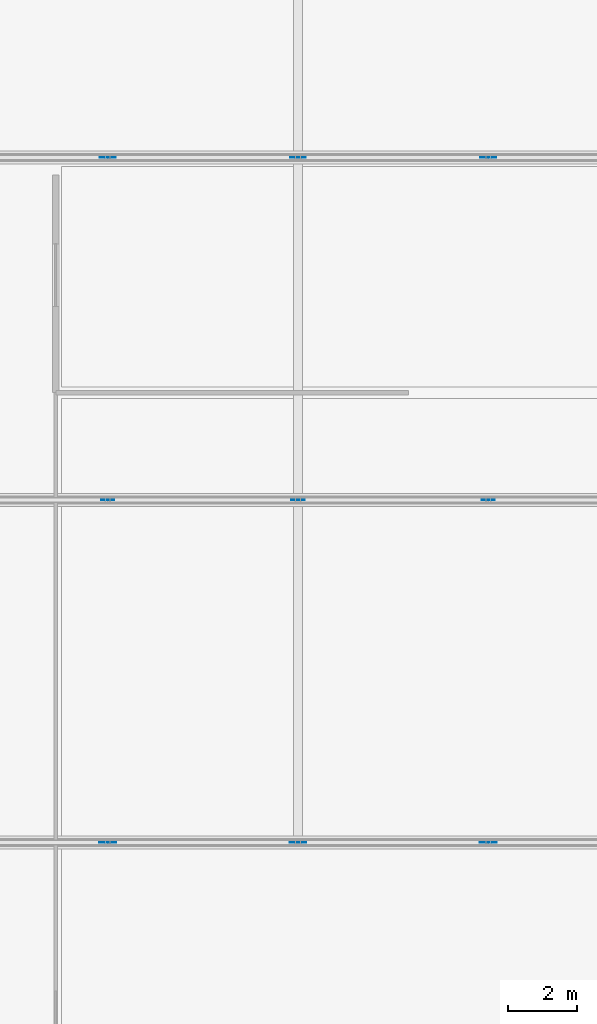
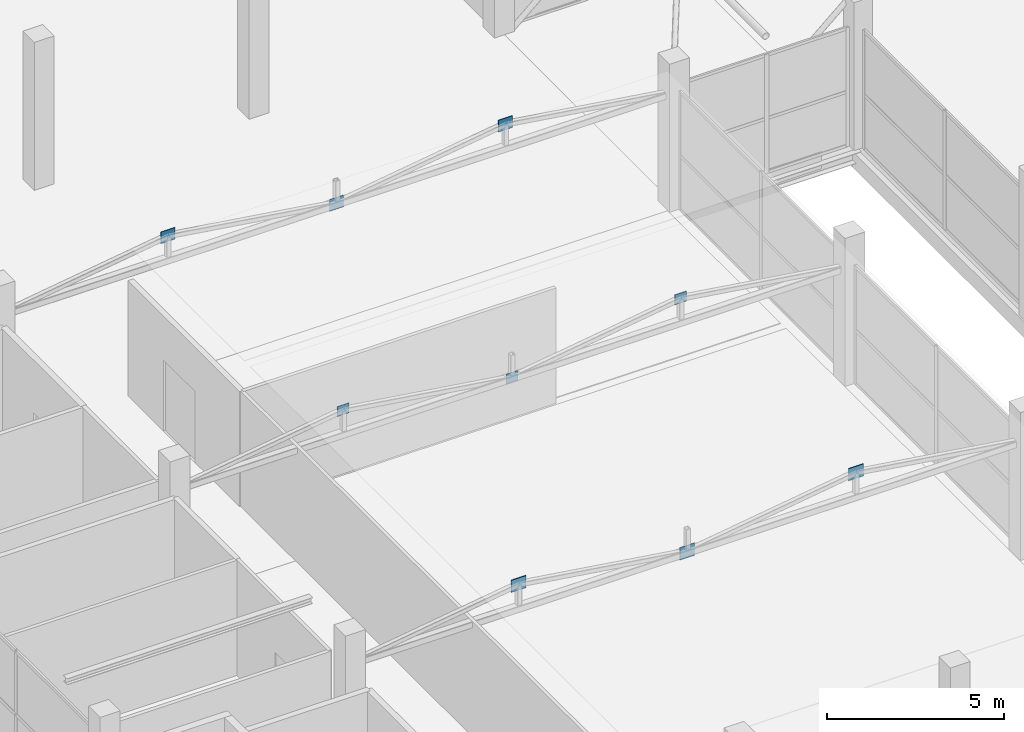
# One storey, part 46 of 58: 9 plates.
"""IFC4 building model written with IfcOpenShell, lengths in metres."""

from ifc_helpers import new_model, si_unit, direction, frame, origin, origin_2d, place, context, subcontext, project, spatial, rectangle, extrude, material, layer, layer_set, type_object, element, save


model = new_model("IFC4")

# Units and contexts
model_context = context("Model", 3, precision=1e-05, world=origin(), true_north=direction((0.0, 1.0)))
body_context = subcontext(model_context, "Body", "Model", "MODEL_VIEW")
ifc_project = project(units=[si_unit("LENGTHUNIT", "METRE"), si_unit("AREAUNIT", "SQUARE_METRE"), si_unit("VOLUMEUNIT", "CUBIC_METRE"), si_unit("PLANEANGLEUNIT", "RADIAN"), si_unit("MASSUNIT", "GRAM", prefix="KILO")], contexts=[model_context])

# Site, building, storey
site_placement = place(None, origin())
site = spatial("IfcSite", under=ifc_project, at=site_placement, CompositionType="ELEMENT")
building_placement = place(site_placement, origin())
building = spatial("IfcBuilding", under=site, at=building_placement, Name="Sillaruma Civic Art Gallery", CompositionType="ELEMENT")
storey_placement = place(building_placement, frame((0.0, 0.0, 52.02001953125)))
storey = spatial("IfcBuildingStorey", under=building, at=storey_placement, Name="L10", CompositionType="ELEMENT", Elevation=52.02001953125)

# Plates
ifc_material = material(Name="Structural Steel ASTM A992 Gr.50", Category="steel")
ifc_layer_1 = layer(ifc_material, 0.01611328125, Name="Structural Steel ASTM A992 Gr.50")
ifc_layer_set_1 = layer_set([ifc_layer_1], Name="Structural Steel ASTM A992 Gr.50")
plate_type_1 = type_object("IfcPlateType", Name="PLT-GUS-16", PredefinedType="SHEET", material=ifc_layer_set_1)
for number, where, z_axis, x_axis, name in (
    (1, (75.5, 59.39990234375, 4.498046875), (0.0, 0.0, 1.0), (1.0, 0.0, 0.0), "Truss Gusset Plate GP-05 (TR-L10-2-1)"),
    (2, (81.0, 59.39990234375, 3.68994140625), (0.0, 0.0, 1.0), (1.0, 0.0, 0.0), "Truss Gusset Plate GP-05 (TR-L10-2-2)"),
    (3, (86.5, 59.39990234375, 4.498046875), (0.0, 0.0, 1.0), (1.0, 0.0, 0.0), "Truss Gusset Plate GP-05 (TR-L10-2-3)"),
):
    element("IfcPlate", number, at=place(storey_placement, frame(where, z_axis=z_axis, x_axis=x_axis)), inside=storey, type_object=plate_type_1, Name=name, PredefinedType="SHEET", context=body_context, shape_type="SweptSolid", body=[
        extrude(rectangle(XDim=0.3798828125, YDim=0.01611328125, at=origin_2d()), origin(), (0.0, 0.0, 1.0), 0.340087890625),
    ])
ifc_layer_2 = layer(ifc_material, 0.02001953125, Name="Structural Steel ASTM A992 Gr.50")
ifc_layer_set_2 = layer_set([ifc_layer_2], Name="Structural Steel ASTM A992 Gr.50")
plate_type_2 = type_object("IfcPlateType", Name="PLT-GUS-20", PredefinedType="SHEET", material=ifc_layer_set_2)
for number, where, z_axis, x_axis, name in (
    (4, (75.5, 69.300048828125, 4.468017578125), (0.0, 0.0, 1.0), (1.0, 0.0, 0.0), "Truss Gusset Plate GP-01 (TR-L10-3-1)"),
    (5, (81.0, 69.300048828125, 3.659912109375), (0.0, 0.0, 1.0), (1.0, 0.0, 0.0), "Truss Gusset Plate GP-01 (TR-L10-3-2)"),
    (6, (86.5, 69.300048828125, 4.468017578125), (0.0, 0.0, 1.0), (1.0, 0.0, 0.0), "Truss Gusset Plate GP-01 (TR-L10-3-3)"),
):
    element("IfcPlate", number, at=place(storey_placement, frame(where, z_axis=z_axis, x_axis=x_axis)), inside=storey, type_object=plate_type_2, Name=name, PredefinedType="SHEET", context=body_context, shape_type="SweptSolid", body=[
        extrude(rectangle(XDim=0.4599609375, YDim=0.02001953125, at=origin_2d()), origin(), (0.0, 0.0, 1.0), 0.39990234375),
    ])
ifc_layer_3 = layer(ifc_material, 0.02197265625, Name="Structural Steel ASTM A992 Gr.50")
ifc_layer_set_3 = layer_set([ifc_layer_3], Name="Structural Steel ASTM A992 Gr.50")
plate_type_3 = type_object("IfcPlateType", Name="PLT-GUS-22", PredefinedType="SHEET", material=ifc_layer_set_3)
for number, where, z_axis, x_axis, name in (
    (7, (75.5, 49.5, 4.4580078125), (0.0, 0.0, 1.0), (1.0, 0.0, 0.0), "Truss Gusset Plate GP-04 (TR-L10-1-1)"),
    (8, (81.0, 49.5, 3.64990234375), (0.0, 0.0, 1.0), (1.0, 0.0, 0.0), "Truss Gusset Plate GP-04 (TR-L10-1-2)"),
    (9, (86.5, 49.5, 4.4580078125), (0.0, 0.0, 1.0), (1.0, 0.0, 0.0), "Truss Gusset Plate GP-04 (TR-L10-1-3)"),
):
    element("IfcPlate", number, at=place(storey_placement, frame(where, z_axis=z_axis, x_axis=x_axis)), inside=storey, type_object=plate_type_3, Name=name, PredefinedType="SHEET", context=body_context, shape_type="SweptSolid", body=[
        extrude(rectangle(XDim=0.47998046875, YDim=0.02197265625, at=origin_2d()), origin(), (0.0, 0.0, 1.0), 0.419921875),
    ])

save(model, "model.ifc")
